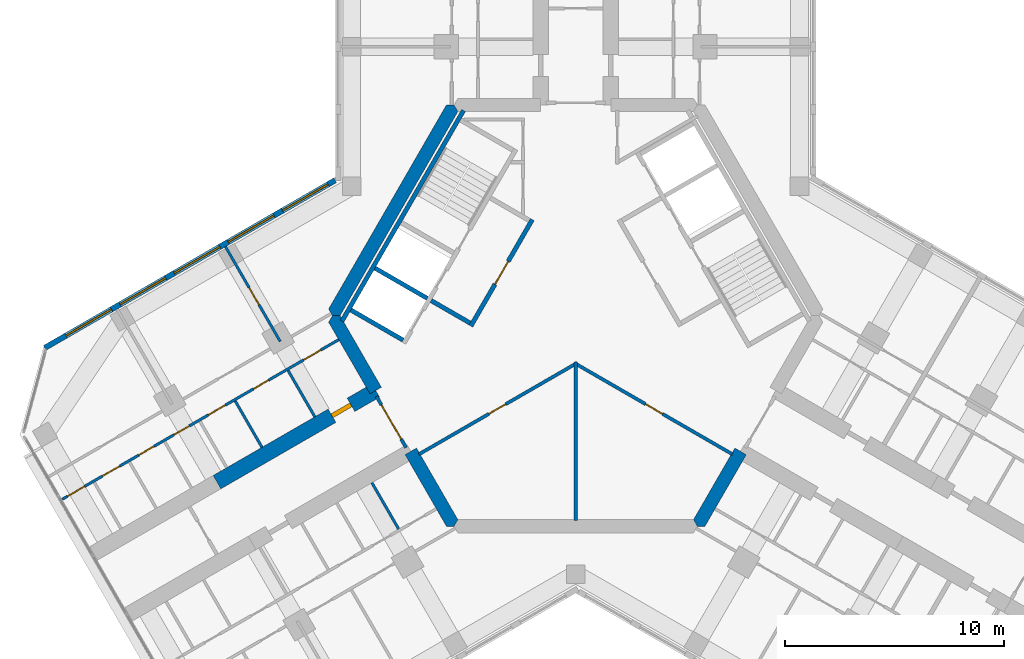
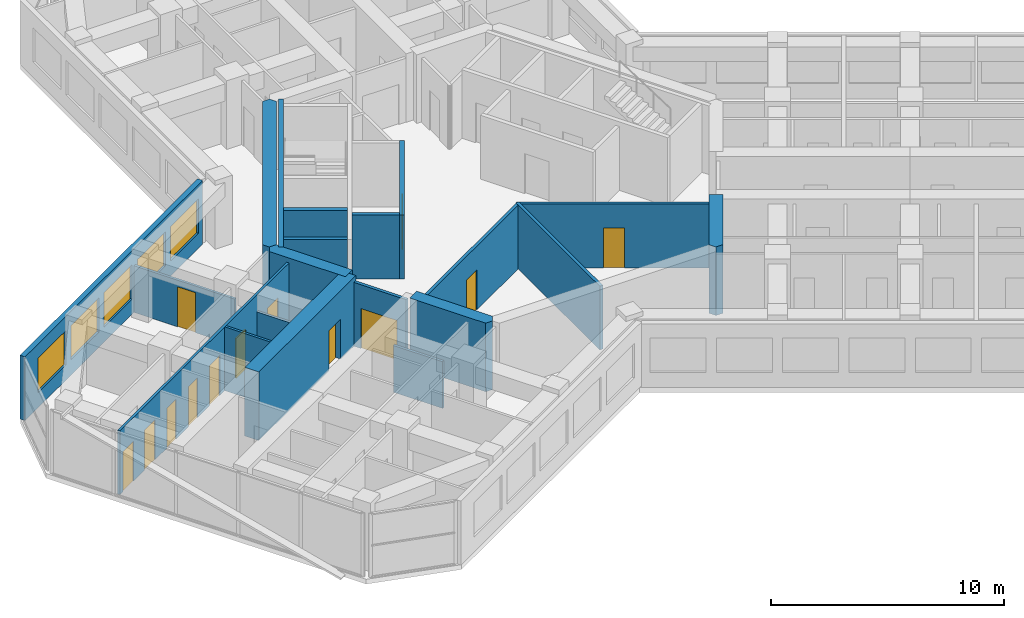
# One storey, part 9 of 16: 20 walls, 13 doors, 5 windows, 18 openings.
"""IFC4 building model written with IfcOpenShell, lengths in metres."""

from ifc_helpers import new_model, si_unit, direction, frame, frame_2d, origin, place, context, subcontext, project, spatial, polyline, rectangle, outline, extrude, material, layer, layer_set, type_object, element, fill, save


model = new_model("IFC4")

# Units and contexts
model_context = context("Model", 3, precision=1e-05, world=origin(), true_north=direction((0.0, 1.0)))
body_context = subcontext(model_context, "Body", "Model", "MODEL_VIEW")
ifc_project = project(units=[si_unit("LENGTHUNIT", "METRE"), si_unit("AREAUNIT", "SQUARE_METRE"), si_unit("VOLUMEUNIT", "CUBIC_METRE"), si_unit("PLANEANGLEUNIT", "RADIAN"), si_unit("MASSUNIT", "GRAM", prefix="KILO")], contexts=[model_context])

# Site, building, storey
site_placement = place(None, origin())
site = spatial("IfcSite", under=ifc_project, at=site_placement, CompositionType="ELEMENT")
building_placement = place(site_placement, origin())
building = spatial("IfcBuilding", under=site, at=building_placement, Name="Kosmar Iwan School Tower", CompositionType="ELEMENT")
storey_placement = place(building_placement, frame((0.0, 0.0, 235.199951171875)))
storey = spatial("IfcBuildingStorey", under=building, at=storey_placement, Name="L59", CompositionType="ELEMENT", Elevation=235.199951171875)

# Wall
ifc_material_1 = material(Name="Gypsum board on steel studs, fire-rated", Category="steel")
ifc_layer_1 = layer(ifc_material_1, 0.14990234375)
ifc_layer_set_1 = layer_set([ifc_layer_1], Name="Core room partition 150")
wall_type_1 = type_object("IfcWallType", Name="Core room partition 150", PredefinedType="PARTITIONING", material=ifc_layer_set_1)
wall_1_placement = place(storey_placement, frame((0.0, -9.344970703125, 0.0), z_axis=(0.0, 0.0, 1.0), x_axis=(0.0, 1.0, 0.0)))
element("IfcWall", 1, at=wall_1_placement, inside=storey, type_object=wall_type_1, Name="Core room partition L59-CW5", PredefinedType="PARTITIONING", context=body_context, shape_type="SweptSolid", body=[
    extrude(rectangle(XDim=7.22607421875, YDim=0.14990234375, at=frame_2d((3.613037109375, 0.0))), origin(), (0.0, 0.0, 1.0), 3.35009765625),
])

# Wall, opening, door
wall_2_placement = place(storey_placement, frame((-0.06494140625, -2.156494140625, 0.0), z_axis=(0.0, 0.0, 1.0), x_axis=(0.866034159509, -0.499984834333, 0.0)))
wall_2 = element("IfcWall", 2, at=wall_2_placement, inside=storey, type_object=wall_type_1, Name="Core room partition L59-CW6", PredefinedType="PARTITIONING", context=body_context, shape_type="SweptSolid", body=[
    extrude(rectangle(XDim=8.322998046875, YDim=0.14990234375, at=frame_2d((4.16162109375, 0.0))), origin(), (0.0, 0.0, 1.0), 3.35009765625),
])
opening_1_placement = place(wall_2_placement, frame((3.7470703125, 0.0, 0.0)))
opening_1 = element("IfcOpeningElement", 3, at=opening_1_placement, cuts=wall_2, Name="Opening D14", PredefinedType="OPENING", context=body_context, shape_type="SweptSolid", body=[
    extrude(rectangle(XDim=0.89990234375, YDim=2.10009765625, at=frame_2d((0.449951171875, 1.050048828125))), frame((0.0, 0.0869140625, 0.0), z_axis=(0.0, -1.0, 0.0), x_axis=(1.0, 0.0, 0.0)), (0.0, 0.0, 1.0), 0.173828125),
])
ifc_material_2 = material(Name="Timber fire door in steel frame", Category="steel")
door_type_1 = type_object("IfcDoorType", Name="Core room door 900x2100", OperationType="SINGLE_SWING_LEFT", PredefinedType="DOOR", material=ifc_material_2)
door_1_placement = place(opening_1_placement, origin())
door_1 = element("IfcDoor", 4, at=door_1_placement, inside=storey, type_object=door_type_1, Name="Bulky waste store door L59 3", OperationType="SINGLE_SWING_RIGHT", OverallHeight=2.10009765625, OverallWidth=0.89990234375, PredefinedType="DOOR", context=body_context, shape_type="SweptSolid", body=[
    extrude(rectangle(XDim=0.89990234375, YDim=2.10009765625, at=frame_2d((0.449951171875, 1.050048828125))), frame((0.0, 0.02490234375, 0.0), z_axis=(0.0, -1.0, 0.0), x_axis=(1.0, 0.0, 0.0)), (0.0, 0.0, 1.0), 0.050048828125),
])
fill(opening_1, door_1)

wall_3_placement = place(storey_placement, frame((-7.14306640625, -6.31787109375, 0.0), z_axis=(0.0, 0.0, 1.0), x_axis=(0.866034159509, 0.499984834333, 0.0)))
wall_3 = element("IfcWall", 5, at=wall_3_placement, inside=storey, type_object=wall_type_1, Name="Core room partition L59-CW7", PredefinedType="PARTITIONING", context=body_context, shape_type="SweptSolid", body=[
    extrude(rectangle(XDim=8.322998046875, YDim=0.14990234375, at=frame_2d((4.16162109375, 0.0))), origin(), (0.0, 0.0, 1.0), 3.35009765625),
])
opening_2_placement = place(wall_3_placement, frame((3.677001953125, 0.0, 0.0)))
opening_2 = element("IfcOpeningElement", 6, at=opening_2_placement, cuts=wall_3, Name="Opening D14", PredefinedType="OPENING", context=body_context, shape_type="SweptSolid", body=[
    extrude(rectangle(XDim=0.89990234375, YDim=2.10009765625, at=frame_2d((0.449951171875, 1.050048828125))), frame((0.0, 0.0869140625, 0.0), z_axis=(0.0, -1.0, 0.0), x_axis=(1.0, 0.0, 0.0)), (0.0, 0.0, 1.0), 0.173828125),
])
door_2_placement = place(opening_2_placement, origin())
door_2 = element("IfcDoor", 7, at=door_2_placement, inside=storey, type_object=door_type_1, Name="Residents' laundry room door L59 4", OperationType="SINGLE_SWING_LEFT", OverallHeight=2.10009765625, OverallWidth=0.89990234375, PredefinedType="DOOR", context=body_context, shape_type="SweptSolid", body=[
    extrude(rectangle(XDim=0.89990234375, YDim=2.10009765625, at=frame_2d((0.449951171875, 1.050048828125))), frame((0.0, 0.02490234375, 0.0), z_axis=(0.0, -1.0, 0.0), x_axis=(1.0, 0.0, 0.0)), (0.0, 0.0, 1.0), 0.050048828125),
])
fill(opening_2, door_2)

# Walls
ifc_material_3 = material(Name="Concrete C50/60", Category="concrete")
ifc_layer_2 = layer(ifc_material_3, 0.60009765625)
ifc_layer_set_2 = layer_set([ifc_layer_2], Name="Core wall 600")
wall_type_2 = type_object("IfcWallType", Name="Core wall 600", PredefinedType="SHEAR", material=ifc_layer_set_2)
wall_4_placement = place(storey_placement, origin())
element("IfcWall", 8, at=wall_4_placement, inside=storey, type_object=wall_type_2, Name="Core wall F150", PredefinedType="SHEAR", context=body_context, shape_type="SweptSolid", body=[
    extrude(outline(polyline([(-11.085205078125, 0.0), (-10.73876953125, 0.0), (-5.369384765625, 9.300048828125), (-5.54248046875, 9.60009765625), (-5.888916015625, 9.60009765625), (-11.25830078125, 0.300048828125), (-11.085205078125, 0.0)])), origin(), (0.0, 0.0, 1.0), 3.60009765625),
])
wall_5_placement = place(storey_placement, origin())
element("IfcWall", 9, at=wall_5_placement, inside=storey, type_object=wall_type_2, Name="Core wall F210a", PredefinedType="SHEAR", context=body_context, shape_type="SweptSolid", body=[
    extrude(outline(polyline([(-9.37353515625, -3.564453125), (-8.85400390625, -3.264404296875), (-10.73876953125, 0.0), (-11.085205078125, 0.0), (-11.25830078125, -0.300048828125), (-9.37353515625, -3.564453125)])), origin(), (0.0, 0.0, 1.0), 3.60009765625),
])
wall_6_placement = place(storey_placement, origin())
element("IfcWall", 10, at=wall_6_placement, inside=storey, type_object=wall_type_2, Name="Core wall F210b", PredefinedType="SHEAR", context=body_context, shape_type="SweptSolid", body=[
    extrude(outline(polyline([(-5.888916015625, -9.60009765625), (-5.54248046875, -9.60009765625), (-5.369384765625, -9.300048828125), (-7.254150390625, -6.03564453125), (-7.773681640625, -6.335693359375), (-5.888916015625, -9.60009765625)])), origin(), (0.0, 0.0, 1.0), 3.60009765625),
])
wall_7_placement = place(storey_placement, origin())
element("IfcWall", 11, at=wall_7_placement, inside=storey, type_object=wall_type_2, Name="Core wall F330a", PredefinedType="SHEAR", context=body_context, shape_type="SweptSolid", body=[
    extrude(outline(polyline([(5.54248046875, -9.60009765625), (5.888916015625, -9.60009765625), (7.773681640625, -6.335693359375), (7.254150390625, -6.03564453125), (5.369384765625, -9.300048828125), (5.54248046875, -9.60009765625)])), origin(), (0.0, 0.0, 1.0), 3.60009765625),
])

# Wall, opening, door
ifc_material_4 = material(Name="Concrete C50/60", Category="concrete")
ifc_layer_3 = layer(ifc_material_4, 0.699951171875)
ifc_layer_set_3 = layer_set([ifc_layer_3], Name="Corridor buttress wall 700")
wall_type_3 = type_object("IfcWallType", Name="Corridor buttress wall 700", PredefinedType="SHEAR", material=ifc_layer_set_3)
wall_8_placement = place(storey_placement, frame((-9.11376953125, -3.414306640625, 0.0), z_axis=(0.0, 0.0, 1.0), x_axis=(-0.866026859388, -0.499997478812, 0.0)))
wall_8 = element("IfcWall", 12, at=wall_8_placement, inside=storey, type_object=wall_type_3, Name="Corridor wall BR", PredefinedType="SHEAR", context=body_context, shape_type="SweptSolid", body=[
    extrude(rectangle(XDim=8.35009765625, YDim=0.699951171875, at=frame_2d((4.175048828125, 0.0))), origin(), (0.0, 0.0, 1.0), 3.60009765625),
])
opening_3_placement = place(wall_8_placement, frame((1.300048828125, 0.0, 0.0)))
opening_3 = element("IfcOpeningElement", 13, at=opening_3_placement, cuts=wall_8, Name="Opening D1", PredefinedType="OPENING", context=body_context, shape_type="SweptSolid", body=[
    extrude(rectangle(XDim=1.0, YDim=2.10009765625, at=frame_2d((0.5, 1.050048828125))), frame((0.0, 0.362060546875, 0.0), z_axis=(0.0, -1.0, 0.0), x_axis=(1.0, 0.0, 0.0)), (0.0, 0.0, 1.0), 0.723876953125),
])
ifc_material_5 = material(Name="Timber fire door in steel frame", Category="steel")
door_type_2 = type_object("IfcDoorType", Name="Flat entrance door 1000x2100", OperationType="SINGLE_SWING_LEFT", PredefinedType="DOOR", material=ifc_material_5)
door_3_placement = place(opening_3_placement, origin())
door_3 = element("IfcDoor", 14, at=door_3_placement, inside=storey, type_object=door_type_2, Name="Flat L59-BR1 entrance door", OperationType="SINGLE_SWING_LEFT", OverallHeight=2.10009765625, OverallWidth=1.0, PredefinedType="DOOR", context=body_context, shape_type="SweptSolid", body=[
    extrude(rectangle(XDim=1.0, YDim=2.10009765625, at=frame_2d((0.5, 1.050048828125))), frame((0.0, 0.10009765625, 0.0), z_axis=(0.0, -1.0, 0.0), x_axis=(1.0, 0.0, 0.0)), (0.0, 0.0, 1.0), 0.199951171875),
])
fill(opening_3, door_3)

ifc_material_6 = material(Name="Steel framed glazed screen", Category="steel")
ifc_layer_4 = layer(ifc_material_6, 0.14990234375)
ifc_layer_set_4 = layer_set([ifc_layer_4], Name="Corridor screen wall 150")
wall_type_4 = type_object("IfcWallType", Name="Corridor screen wall 150", PredefinedType="PARTITIONING", material=ifc_layer_set_4)
wall_9_placement = place(storey_placement, frame((-9.075439453125, -3.680908203125, 0.0), z_axis=(0.0, 0.0, 1.0), x_axis=(0.500048589285, -0.86599734893, 0.0)))
wall_9 = element("IfcWall", 15, at=wall_9_placement, inside=storey, type_object=wall_type_4, Name="Corridor screen B L59", PredefinedType="PARTITIONING", context=body_context, shape_type="SweptSolid", body=[
    extrude(rectangle(XDim=2.699951171875, YDim=0.14990234375, at=frame_2d((1.35009765625, 0.0))), origin(), (0.0, 0.0, 1.0), 3.35009765625),
])
opening_4_placement = place(wall_9_placement, frame((0.449951171875, 0.0, 0.0)))
opening_4 = element("IfcOpeningElement", 16, at=opening_4_placement, cuts=wall_9, Name="Opening D9", PredefinedType="OPENING", context=body_context, shape_type="SweptSolid", body=[
    extrude(rectangle(XDim=1.800048828125, YDim=2.10009765625, at=frame_2d((0.89990234375, 1.050048828125))), frame((0.0, 0.0869140625, 0.0), z_axis=(0.0, -1.0, 0.0), x_axis=(1.0, 0.0, 0.0)), (0.0, 0.0, 1.0), 0.173828125),
])
ifc_material_7 = material(Name="Steel framed glazed smoke door", Category="steel")
door_type_3 = type_object("IfcDoorType", Name="Corridor smoke door pair 1800x2100", OperationType="DOUBLE_DOOR_DOUBLE_SWING", PredefinedType="DOOR", material=ifc_material_7)
door_4_placement = place(opening_4_placement, origin())
door_4 = element("IfcDoor", 17, at=door_4_placement, inside=storey, type_object=door_type_3, Name="Corridor doors B L59", OperationType="DOUBLE_DOOR_DOUBLE_SWING", OverallHeight=2.10009765625, OverallWidth=1.800048828125, PredefinedType="DOOR", context=body_context, shape_type="SweptSolid", body=[
    extrude(rectangle(XDim=1.800048828125, YDim=2.10009765625, at=frame_2d((0.89990234375, 1.050048828125))), frame((0.0, 0.02490234375, 0.0), z_axis=(0.0, -1.0, 0.0), x_axis=(1.0, 0.0, 0.0)), (0.0, 0.0, 1.0), 0.050048828125),
])
fill(opening_4, door_4)

# Wall
ifc_material_8 = material(Name="Gypsum board on steel studs", Category="steel")
ifc_layer_5 = layer(ifc_material_8, 0.1201171875)
ifc_layer_set_5 = layer_set([ifc_layer_5], Name="Dwelling partition 120")
wall_type_5 = type_object("IfcWallType", Name="Dwelling partition 120", PredefinedType="PARTITIONING", material=ifc_layer_set_5)
wall_10_placement = place(storey_placement, frame((-9.287353515625, -7.61376953125, 0.0), z_axis=(0.0, 0.0, 1.0), x_axis=(0.500002508028, -0.866023955769, 0.0)))
element("IfcWall", 18, at=wall_10_placement, inside=storey, type_object=wall_type_5, Name="Partition L59-BL1-Y1", PredefinedType="PARTITIONING", context=body_context, shape_type="SweptSolid", body=[
    extrude(rectangle(XDim=2.43994140625, YDim=0.1201171875, at=frame_2d((1.219970703125, 0.0))), origin(), (0.0, 0.0, 1.0), 2.449951171875),
])

# Wall, openings, doors
wall_11_placement = place(storey_placement, frame((-10.798583984375, -1.09619140625, 0.0), z_axis=(0.0, 0.0, 1.0), x_axis=(-0.866028217562, -0.499995126363, 0.0)))
wall_11 = element("IfcWall", 19, at=wall_11_placement, inside=storey, type_object=wall_type_5, Name="Partition L59-BR1-W1", PredefinedType="PARTITIONING", context=body_context, shape_type="SweptSolid", body=[
    extrude(rectangle(XDim=14.545166015625, YDim=0.1201171875, at=frame_2d((7.2724609375, 0.0))), origin(), (0.0, 0.0, 1.0), 3.35009765625),
])
opening_5_placement = place(wall_11_placement, frame((0.949951171875, 0.0, 0.0)))
opening_5 = element("IfcOpeningElement", 20, at=opening_5_placement, cuts=wall_11, Name="Opening D2", PredefinedType="OPENING", context=body_context, shape_type="SweptSolid", body=[
    extrude(rectangle(XDim=0.89990234375, YDim=2.10009765625, at=frame_2d((0.449951171875, 1.050048828125))), frame((0.0, 0.072021484375, 0.0), z_axis=(0.0, -1.0, 0.0), x_axis=(1.0, 0.0, 0.0)), (0.0, 0.0, 1.0), 0.14404296875),
])
opening_6_placement = place(wall_11_placement, frame((3.6904296875, 0.0, 0.0)))
opening_6 = element("IfcOpeningElement", 21, at=opening_6_placement, cuts=wall_11, Name="Opening D3", PredefinedType="OPENING", context=body_context, shape_type="SweptSolid", body=[
    extrude(rectangle(XDim=0.800048828125, YDim=2.10009765625, at=frame_2d((0.39990234375, 1.050048828125))), frame((0.0, 0.072021484375, 0.0), z_axis=(0.0, -1.0, 0.0), x_axis=(1.0, 0.0, 0.0)), (0.0, 0.0, 1.0), 0.14404296875),
])
opening_7_placement = place(wall_11_placement, frame((5.957763671875, 0.0, 0.0)))
opening_7 = element("IfcOpeningElement", 22, at=opening_7_placement, cuts=wall_11, Name="Opening D2", PredefinedType="OPENING", context=body_context, shape_type="SweptSolid", body=[
    extrude(rectangle(XDim=0.89990234375, YDim=2.10009765625, at=frame_2d((0.449951171875, 1.050048828125))), frame((0.0, 0.072021484375, 0.0), z_axis=(0.0, -1.0, 0.0), x_axis=(1.0, 0.0, 0.0)), (0.0, 0.0, 1.0), 0.14404296875),
])
opening_8_placement = place(wall_11_placement, frame((7.861572265625, 0.0, 0.0)))
opening_8 = element("IfcOpeningElement", 23, at=opening_8_placement, cuts=wall_11, Name="Opening D3", PredefinedType="OPENING", context=body_context, shape_type="SweptSolid", body=[
    extrude(rectangle(XDim=0.800048828125, YDim=2.10009765625, at=frame_2d((0.39990234375, 1.050048828125))), frame((0.0, 0.072021484375, 0.0), z_axis=(0.0, -1.0, 0.0), x_axis=(1.0, 0.0, 0.0)), (0.0, 0.0, 1.0), 0.14404296875),
])
opening_9_placement = place(wall_11_placement, frame((9.71533203125, 0.0, 0.0)))
opening_9 = element("IfcOpeningElement", 24, at=opening_9_placement, cuts=wall_11, Name="Opening D3", PredefinedType="OPENING", context=body_context, shape_type="SweptSolid", body=[
    extrude(rectangle(XDim=0.800048828125, YDim=2.10009765625, at=frame_2d((0.39990234375, 1.050048828125))), frame((0.0, 0.072021484375, 0.0), z_axis=(0.0, -1.0, 0.0), x_axis=(1.0, 0.0, 0.0)), (0.0, 0.0, 1.0), 0.14404296875),
])
opening_10_placement = place(wall_11_placement, frame((11.519287109375, 0.0, 0.0)))
opening_10 = element("IfcOpeningElement", 25, at=opening_10_placement, cuts=wall_11, Name="Opening D2", PredefinedType="OPENING", context=body_context, shape_type="SweptSolid", body=[
    extrude(rectangle(XDim=0.89990234375, YDim=2.10009765625, at=frame_2d((0.449951171875, 1.050048828125))), frame((0.0, 0.072021484375, 0.0), z_axis=(0.0, -1.0, 0.0), x_axis=(1.0, 0.0, 0.0)), (0.0, 0.0, 1.0), 0.14404296875),
])
opening_11_placement = place(wall_11_placement, frame((13.373046875, 0.0, 0.0)))
opening_11 = element("IfcOpeningElement", 26, at=opening_11_placement, cuts=wall_11, Name="Opening D2", PredefinedType="OPENING", context=body_context, shape_type="SweptSolid", body=[
    extrude(rectangle(XDim=0.89990234375, YDim=2.10009765625, at=frame_2d((0.449951171875, 1.050048828125))), frame((0.0, 0.072021484375, 0.0), z_axis=(0.0, -1.0, 0.0), x_axis=(1.0, 0.0, 0.0)), (0.0, 0.0, 1.0), 0.14404296875),
])
ifc_material_9 = material(Name="Timber door in timber frame", Category="wood")
door_type_4 = type_object("IfcDoorType", Name="Internal door 900x2100", OperationType="SINGLE_SWING_LEFT", PredefinedType="DOOR", material=ifc_material_9)
door_5_placement = place(opening_5_placement, origin())
door_5 = element("IfcDoor", 27, at=door_5_placement, inside=storey, type_object=door_type_4, Name="Entrance hall door L59-BR1-S1", OperationType="SINGLE_SWING_RIGHT", OverallHeight=2.10009765625, OverallWidth=0.89990234375, PredefinedType="DOOR", context=body_context, shape_type="SweptSolid", body=[
    extrude(rectangle(XDim=0.89990234375, YDim=2.10009765625, at=frame_2d((0.449951171875, 1.050048828125))), frame((0.0, 0.02490234375, 0.0), z_axis=(0.0, -1.0, 0.0), x_axis=(1.0, 0.0, 0.0)), (0.0, 0.0, 1.0), 0.050048828125),
])
fill(opening_5, door_5)
door_6_placement = place(opening_7_placement, origin())
door_6 = element("IfcDoor", 28, at=door_6_placement, inside=storey, type_object=door_type_4, Name="Pantry door L59-BR1-S3", OperationType="SINGLE_SWING_RIGHT", OverallHeight=2.10009765625, OverallWidth=0.89990234375, PredefinedType="DOOR", context=body_context, shape_type="SweptSolid", body=[
    extrude(rectangle(XDim=0.89990234375, YDim=2.10009765625, at=frame_2d((0.449951171875, 1.050048828125))), frame((0.0, 0.02490234375, 0.0), z_axis=(0.0, -1.0, 0.0), x_axis=(1.0, 0.0, 0.0)), (0.0, 0.0, 1.0), 0.050048828125),
])
fill(opening_7, door_6)
door_7_placement = place(opening_10_placement, origin())
door_7 = element("IfcDoor", 29, at=door_7_placement, inside=storey, type_object=door_type_4, Name="Utility room door L59-BR1-S6", OperationType="SINGLE_SWING_LEFT", OverallHeight=2.10009765625, OverallWidth=0.89990234375, PredefinedType="DOOR", context=body_context, shape_type="SweptSolid", body=[
    extrude(rectangle(XDim=0.89990234375, YDim=2.10009765625, at=frame_2d((0.449951171875, 1.050048828125))), frame((0.0, 0.02490234375, 0.0), z_axis=(0.0, -1.0, 0.0), x_axis=(1.0, 0.0, 0.0)), (0.0, 0.0, 1.0), 0.050048828125),
])
fill(opening_10, door_7)
door_8_placement = place(opening_11_placement, origin())
door_8 = element("IfcDoor", 30, at=door_8_placement, inside=storey, type_object=door_type_4, Name="Dressing room door L59-BR1-S7", OperationType="SINGLE_SWING_RIGHT", OverallHeight=2.10009765625, OverallWidth=0.89990234375, PredefinedType="DOOR", context=body_context, shape_type="SweptSolid", body=[
    extrude(rectangle(XDim=0.89990234375, YDim=2.10009765625, at=frame_2d((0.449951171875, 1.050048828125))), frame((0.0, 0.02490234375, 0.0), z_axis=(0.0, -1.0, 0.0), x_axis=(1.0, 0.0, 0.0)), (0.0, 0.0, 1.0), 0.050048828125),
])
fill(opening_11, door_8)
ifc_material_10 = material(Name="Timber door in timber frame", Category="wood")
door_type_5 = type_object("IfcDoorType", Name="Sanitary room door 800x2100", OperationType="SINGLE_SWING_LEFT", PredefinedType="DOOR", material=ifc_material_10)
door_9_placement = place(opening_6_placement, origin())
door_9 = element("IfcDoor", 31, at=door_9_placement, inside=storey, type_object=door_type_5, Name="Bathroom door L59-BR1-S2", OperationType="SINGLE_SWING_LEFT", OverallHeight=2.10009765625, OverallWidth=0.800048828125, PredefinedType="DOOR", context=body_context, shape_type="SweptSolid", body=[
    extrude(rectangle(XDim=0.800048828125, YDim=2.10009765625, at=frame_2d((0.39990234375, 1.050048828125))), frame((0.0, 0.02490234375, 0.0), z_axis=(0.0, -1.0, 0.0), x_axis=(1.0, 0.0, 0.0)), (0.0, 0.0, 1.0), 0.050048828125),
])
fill(opening_6, door_9)
door_10_placement = place(opening_8_placement, origin())
door_10 = element("IfcDoor", 32, at=door_10_placement, inside=storey, type_object=door_type_5, Name="WC door L59-BR1-S4", OperationType="SINGLE_SWING_LEFT", OverallHeight=2.10009765625, OverallWidth=0.800048828125, PredefinedType="DOOR", context=body_context, shape_type="SweptSolid", body=[
    extrude(rectangle(XDim=0.800048828125, YDim=2.10009765625, at=frame_2d((0.39990234375, 1.050048828125))), frame((0.0, 0.02490234375, 0.0), z_axis=(0.0, -1.0, 0.0), x_axis=(1.0, 0.0, 0.0)), (0.0, 0.0, 1.0), 0.050048828125),
])
fill(opening_8, door_10)
door_11_placement = place(opening_9_placement, origin())
door_11 = element("IfcDoor", 33, at=door_11_placement, inside=storey, type_object=door_type_5, Name="Store door L59-BR1-S5", OperationType="SINGLE_SWING_RIGHT", OverallHeight=2.10009765625, OverallWidth=0.800048828125, PredefinedType="DOOR", context=body_context, shape_type="SweptSolid", body=[
    extrude(rectangle(XDim=0.800048828125, YDim=2.10009765625, at=frame_2d((0.39990234375, 1.050048828125))), frame((0.0, 0.02490234375, 0.0), z_axis=(0.0, -1.0, 0.0), x_axis=(1.0, 0.0, 0.0)), (0.0, 0.0, 1.0), 0.050048828125),
])
fill(opening_9, door_11)

# Wall, opening, door
wall_12_placement = place(storey_placement, frame((-13.4638671875, -1.179931640625, 0.0), z_axis=(0.0, 0.0, 1.0), x_axis=(-0.499975153383, 0.86603974851, 0.0)))
wall_12 = element("IfcWall", 34, at=wall_12_placement, inside=storey, type_object=wall_type_5, Name="Partition L59-BR1-X1", PredefinedType="PARTITIONING", context=body_context, shape_type="SweptSolid", body=[
    extrude(rectangle(XDim=4.989990234375, YDim=0.1201171875, at=frame_2d((2.4951171875, 0.0))), origin(), (0.0, 0.0, 1.0), 2.449951171875),
])
opening_12_placement = place(wall_12_placement, frame((1.93994140625, 0.0, 0.0)))
opening_12 = element("IfcOpeningElement", 35, at=opening_12_placement, cuts=wall_12, Name="Opening D2", PredefinedType="OPENING", context=body_context, shape_type="SweptSolid", body=[
    extrude(rectangle(XDim=0.89990234375, YDim=2.10009765625, at=frame_2d((0.449951171875, 1.050048828125))), frame((0.0, 0.072021484375, 0.0), z_axis=(0.0, -1.0, 0.0), x_axis=(1.0, 0.0, 0.0)), (0.0, 0.0, 1.0), 0.14404296875),
])
door_12_placement = place(opening_12_placement, origin())
door_12 = element("IfcDoor", 36, at=door_12_placement, inside=storey, type_object=door_type_4, Name="Kitchen and dining room door L59-BR1-F1", OperationType="SINGLE_SWING_LEFT", OverallHeight=2.10009765625, OverallWidth=0.89990234375, PredefinedType="DOOR", context=body_context, shape_type="SweptSolid", body=[
    extrude(rectangle(XDim=0.89990234375, YDim=2.10009765625, at=frame_2d((0.449951171875, 1.050048828125))), frame((0.0, 0.02490234375, 0.0), z_axis=(0.0, -1.0, 0.0), x_axis=(1.0, 0.0, 0.0)), (0.0, 0.0, 1.0), 0.050048828125),
])
fill(opening_12, door_12)

# Walls
wall_13_placement = place(storey_placement, frame((-11.886962890625, -4.611328125, 0.0), z_axis=(0.0, 0.0, 1.0), x_axis=(-0.499959183527, 0.866048967903, 0.0)))
element("IfcWall", 37, at=wall_13_placement, inside=storey, type_object=wall_type_5, Name="Partition L59-BR1-Y1", PredefinedType="PARTITIONING", context=body_context, shape_type="SweptSolid", body=[
    extrude(rectangle(XDim=2.440185546875, YDim=0.1201171875, at=frame_2d((1.22021484375, 0.0))), origin(), (0.0, 0.0, 1.0), 2.449951171875),
])
wall_14_placement = place(storey_placement, frame((-14.295166015625, -6.001708984375, 0.0), z_axis=(0.0, 0.0, 1.0), x_axis=(-0.499959183527, 0.866048967903, 0.0)))
element("IfcWall", 38, at=wall_14_placement, inside=storey, type_object=wall_type_5, Name="Partition L59-BR1-Y2", PredefinedType="PARTITIONING", context=body_context, shape_type="SweptSolid", body=[
    extrude(rectangle(XDim=2.440185546875, YDim=0.1201171875, at=frame_2d((1.22021484375, 0.0))), origin(), (0.0, 0.0, 1.0), 3.35009765625),
])

# Wall, openings, windows
ifc_material_11 = material(Name="Black aluminium rainscreen on insulated framing", Category="aluminium")
ifc_layer_6 = layer(ifc_material_11, 0.25)
ifc_layer_set_6 = layer_set([ifc_layer_6], Name="External wall rainscreen 250")
wall_type_6 = type_object("IfcWallType", Name="External wall rainscreen 250", PredefinedType="SOLIDWALL", material=ifc_layer_set_6)
wall_15_placement = place(storey_placement, frame((-10.962890625, 6.170166015625, 0.0), z_axis=(0.0, 0.0, 1.0), x_axis=(-0.866025637253, -0.499999595621, 0.0)))
wall_15 = element("IfcWall", 39, at=wall_15_placement, inside=storey, type_object=wall_type_6, Name="External wall BR L59", PredefinedType="SOLIDWALL", context=body_context, shape_type="SweptSolid", body=[
    extrude(rectangle(XDim=15.2763671875, YDim=0.25, at=frame_2d((7.63818359375, 0.0))), origin(), (0.0, 0.0, 1.0), 3.35009765625),
])
opening_13_placement = place(wall_15_placement, frame((0.365966796875, 0.0, 0.800048828125)))
opening_13 = element("IfcOpeningElement", 40, at=opening_13_placement, cuts=wall_15, Name="Opening W5", PredefinedType="OPENING", context=body_context, shape_type="SweptSolid", body=[
    extrude(rectangle(XDim=2.39990234375, YDim=1.800048828125, at=frame_2d((1.199951171875, 0.89990234375))), frame((0.0, 0.136962890625, 0.0), z_axis=(0.0, -1.0, 0.0), x_axis=(1.0, 0.0, 0.0)), (0.0, 0.0, 1.0), 0.27392578125),
])
opening_14_placement = place(wall_15_placement, frame((3.216064453125, 0.0, 0.800048828125)))
opening_14 = element("IfcOpeningElement", 41, at=opening_14_placement, cuts=wall_15, Name="Opening W5", PredefinedType="OPENING", context=body_context, shape_type="SweptSolid", body=[
    extrude(rectangle(XDim=2.39990234375, YDim=1.800048828125, at=frame_2d((1.199951171875, 0.89990234375))), frame((0.0, 0.136962890625, 0.0), z_axis=(0.0, -1.0, 0.0), x_axis=(1.0, 0.0, 0.0)), (0.0, 0.0, 1.0), 0.27392578125),
])
opening_15_placement = place(wall_15_placement, frame((6.06591796875, 0.0, 0.800048828125)))
opening_15 = element("IfcOpeningElement", 42, at=opening_15_placement, cuts=wall_15, Name="Opening W5", PredefinedType="OPENING", context=body_context, shape_type="SweptSolid", body=[
    extrude(rectangle(XDim=2.39990234375, YDim=1.800048828125, at=frame_2d((1.199951171875, 0.89990234375))), frame((0.0, 0.136962890625, 0.0), z_axis=(0.0, -1.0, 0.0), x_axis=(1.0, 0.0, 0.0)), (0.0, 0.0, 1.0), 0.27392578125),
])
opening_16_placement = place(wall_15_placement, frame((8.916015625, 0.0, 0.800048828125)))
opening_16 = element("IfcOpeningElement", 43, at=opening_16_placement, cuts=wall_15, Name="Opening W5", PredefinedType="OPENING", context=body_context, shape_type="SweptSolid", body=[
    extrude(rectangle(XDim=2.39990234375, YDim=1.800048828125, at=frame_2d((1.199951171875, 0.89990234375))), frame((0.0, 0.136962890625, 0.0), z_axis=(0.0, -1.0, 0.0), x_axis=(1.0, 0.0, 0.0)), (0.0, 0.0, 1.0), 0.27392578125),
])
opening_17_placement = place(wall_15_placement, frame((11.76611328125, 0.0, 0.800048828125)))
opening_17 = element("IfcOpeningElement", 44, at=opening_17_placement, cuts=wall_15, Name="Opening W5", PredefinedType="OPENING", context=body_context, shape_type="SweptSolid", body=[
    extrude(rectangle(XDim=2.39990234375, YDim=1.800048828125, at=frame_2d((1.199951171875, 0.89990234375))), frame((0.0, 0.136962890625, 0.0), z_axis=(0.0, -1.0, 0.0), x_axis=(1.0, 0.0, 0.0)), (0.0, 0.0, 1.0), 0.27392578125),
])
ifc_material_12 = material(Name="Black aluminium frame with dark triple glazing", Category="aluminium")
window_type = type_object("IfcWindowType", Name="Window 2400x1800", PartitioningType="SINGLE_PANEL", PredefinedType="WINDOW", material=ifc_material_12)
window_1_placement = place(opening_13_placement, origin())
window_1 = element("IfcWindow", 45, at=window_1_placement, inside=storey, type_object=window_type, Name="Window BR L59 -1", OverallHeight=1.800048828125, OverallWidth=2.39990234375, PartitioningType="SINGLE_PANEL", PredefinedType="WINDOW", context=body_context, shape_type="SweptSolid", body=[
    extrude(rectangle(XDim=2.39990234375, YDim=1.800048828125, at=frame_2d((1.199951171875, 0.89990234375))), frame((0.0, 0.030029296875, 0.0), z_axis=(0.0, -1.0, 0.0), x_axis=(1.0, 0.0, 0.0)), (0.0, 0.0, 1.0), 0.06005859375),
])
fill(opening_13, window_1)
window_2_placement = place(opening_14_placement, origin())
window_2 = element("IfcWindow", 46, at=window_2_placement, inside=storey, type_object=window_type, Name="Window BR L59 0", OverallHeight=1.800048828125, OverallWidth=2.39990234375, PartitioningType="SINGLE_PANEL", PredefinedType="WINDOW", context=body_context, shape_type="SweptSolid", body=[
    extrude(rectangle(XDim=2.39990234375, YDim=1.800048828125, at=frame_2d((1.199951171875, 0.89990234375))), frame((0.0, 0.030029296875, 0.0), z_axis=(0.0, -1.0, 0.0), x_axis=(1.0, 0.0, 0.0)), (0.0, 0.0, 1.0), 0.06005859375),
])
fill(opening_14, window_2)
window_3_placement = place(opening_15_placement, origin())
window_3 = element("IfcWindow", 47, at=window_3_placement, inside=storey, type_object=window_type, Name="Window BR L59 1", OverallHeight=1.800048828125, OverallWidth=2.39990234375, PartitioningType="SINGLE_PANEL", PredefinedType="WINDOW", context=body_context, shape_type="SweptSolid", body=[
    extrude(rectangle(XDim=2.39990234375, YDim=1.800048828125, at=frame_2d((1.199951171875, 0.89990234375))), frame((0.0, 0.030029296875, 0.0), z_axis=(0.0, -1.0, 0.0), x_axis=(1.0, 0.0, 0.0)), (0.0, 0.0, 1.0), 0.06005859375),
])
fill(opening_15, window_3)
window_4_placement = place(opening_16_placement, origin())
window_4 = element("IfcWindow", 48, at=window_4_placement, inside=storey, type_object=window_type, Name="Window BR L59 2", OverallHeight=1.800048828125, OverallWidth=2.39990234375, PartitioningType="SINGLE_PANEL", PredefinedType="WINDOW", context=body_context, shape_type="SweptSolid", body=[
    extrude(rectangle(XDim=2.39990234375, YDim=1.800048828125, at=frame_2d((1.199951171875, 0.89990234375))), frame((0.0, 0.030029296875, 0.0), z_axis=(0.0, -1.0, 0.0), x_axis=(1.0, 0.0, 0.0)), (0.0, 0.0, 1.0), 0.06005859375),
])
fill(opening_16, window_4)
window_5_placement = place(opening_17_placement, origin())
window_5 = element("IfcWindow", 49, at=window_5_placement, inside=storey, type_object=window_type, Name="Window BR L59 3", OverallHeight=1.800048828125, OverallWidth=2.39990234375, PartitioningType="SINGLE_PANEL", PredefinedType="WINDOW", context=body_context, shape_type="SweptSolid", body=[
    extrude(rectangle(XDim=2.39990234375, YDim=1.800048828125, at=frame_2d((1.199951171875, 0.89990234375))), frame((0.0, 0.030029296875, 0.0), z_axis=(0.0, -1.0, 0.0), x_axis=(1.0, 0.0, 0.0)), (0.0, 0.0, 1.0), 0.06005859375),
])
fill(opening_17, window_5)

# Wall, opening, door
ifc_material_13 = material(Name="Concrete block masonry", Category="masonry")
ifc_layer_7 = layer(ifc_material_13, 0.199951171875)
ifc_layer_set_7 = layer_set([ifc_layer_7], Name="Fire lobby wall 200")
wall_type_7 = type_object("IfcWallType", Name="Fire lobby wall 200", PredefinedType="PARTITIONING", material=ifc_layer_set_7)
wall_16_placement = place(storey_placement, frame((-1.9775390625, 4.374755859375, 0.0), z_axis=(0.0, 0.0, 1.0), x_axis=(-0.500016814911, -0.866015695474, 0.0)))
wall_16 = element("IfcWall", 50, at=wall_16_placement, inside=storey, type_object=wall_type_7, Name="Firefighting lobby wall ST2", PredefinedType="PARTITIONING", context=body_context, shape_type="SweptSolid", body=[
    extrude(rectangle(XDim=5.599853515625, YDim=0.199951171875, at=frame_2d((2.7998046875, 0.0))), origin(), (0.0, 0.0, 1.0), 3.35009765625),
])
opening_18_placement = place(wall_16_placement, frame((2.199951171875, 0.0, 0.0)))
opening_18 = element("IfcOpeningElement", 51, at=opening_18_placement, cuts=wall_16, Name="Opening D7", PredefinedType="OPENING", context=body_context, shape_type="SweptSolid", body=[
    extrude(rectangle(XDim=1.199951171875, YDim=2.10009765625, at=frame_2d((0.60009765625, 1.050048828125))), frame((0.0, 0.112060546875, 0.0), z_axis=(0.0, -1.0, 0.0), x_axis=(1.0, 0.0, 0.0)), (0.0, 0.0, 1.0), 0.223876953125),
])
ifc_material_14 = material(Name="Steel fire door", Category="steel")
door_type_6 = type_object("IfcDoorType", Name="Fire lobby door 1200x2100", OperationType="SINGLE_SWING_LEFT", PredefinedType="DOOR", material=ifc_material_14)
door_13_placement = place(opening_18_placement, origin())
door_13 = element("IfcDoor", 52, at=door_13_placement, inside=storey, type_object=door_type_6, Name="Firefighting lobby door ST2 L59", OperationType="SINGLE_SWING_LEFT", OverallHeight=2.10009765625, OverallWidth=1.199951171875, PredefinedType="DOOR", context=body_context, shape_type="SweptSolid", body=[
    extrude(rectangle(XDim=1.199951171875, YDim=2.10009765625, at=frame_2d((0.60009765625, 1.050048828125))), frame((0.0, 0.02490234375, 0.0), z_axis=(0.0, -1.0, 0.0), x_axis=(1.0, 0.0, 0.0)), (0.0, 0.0, 1.0), 0.050048828125),
])
fill(opening_18, door_13)

# Walls
wall_17_placement = place(storey_placement, frame((-4.814208984375, -0.33837890625, 0.0), z_axis=(0.0, 0.0, 1.0), x_axis=(-0.865969381856, 0.500097020274, 0.0)))
element("IfcWall", 53, at=wall_17_placement, inside=storey, type_object=wall_type_7, Name="Firefighting lobby wall ST2", PredefinedType="PARTITIONING", context=body_context, shape_type="SweptSolid", body=[
    extrude(rectangle(XDim=2.0498046875, YDim=0.199951171875, at=frame_2d((1.02490234375, 0.0))), origin(), (0.0, 0.0, 1.0), 3.35009765625),
])
ifc_material_15 = material(Name="Concrete C50/60", Category="concrete")
ifc_layer_8 = layer(ifc_material_15, 0.199951171875)
ifc_layer_set_8 = layer_set([ifc_layer_8], Name="Lift shaft wall 200")
wall_type_8 = type_object("IfcWallType", Name="Lift shaft wall 200", PredefinedType="SHEAR", material=ifc_layer_set_8)
wall_18_placement = place(storey_placement, frame((-5.109619140625, 9.35009765625, 0.0), z_axis=(0.0, 0.0, 1.0), x_axis=(-0.499990629522, -0.866030813765, 0.0)))
element("IfcWall", 54, at=wall_18_placement, inside=storey, type_object=wall_type_8, Name="Lift and stair back wall AB", PredefinedType="SHEAR", context=body_context, shape_type="SweptSolid", body=[
    extrude(rectangle(XDim=11.085205078125, YDim=0.199951171875, at=frame_2d((5.54248046875, 0.0))), origin(), (0.0, 0.0, 1.0), 3.60009765625),
])
for number, where, z_axis, x_axis, name in (
    (55, (-6.7626953125, 0.78662109375, 0.0), (0.0, 0.0, 1.0), (-0.866027397988, 0.499996545922, 0.0), "Lift shaft wall AB 1"),
    (56, (-7.862548828125, -1.118408203125, 0.0), (0.0, 0.0, 1.0), (-0.866027397988, 0.499996545922, 0.0), "Lift shaft wall AB 2"),
):
    element("IfcWall", number, at=place(storey_placement, frame(where, z_axis=z_axis, x_axis=x_axis)), inside=storey, type_object=wall_type_8, Name=name, PredefinedType="SHEAR", context=body_context, shape_type="SweptSolid", body=[
        extrude(rectangle(XDim=2.75, YDim=0.199951171875, at=frame_2d((1.375, 0.0))), origin(), (0.0, 0.0, 1.0), 3.60009765625),
    ])

save(model, "model.ifc")
